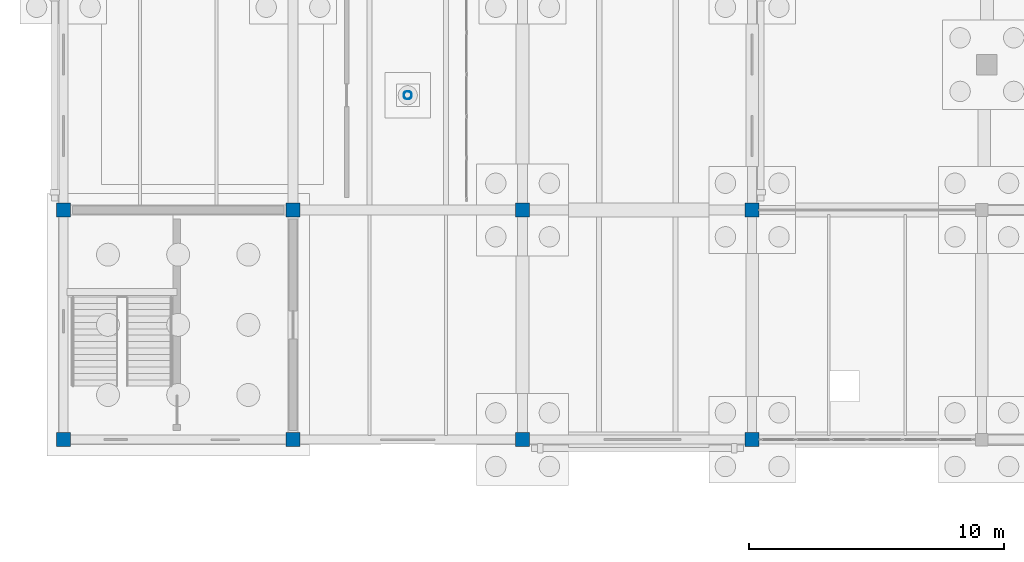
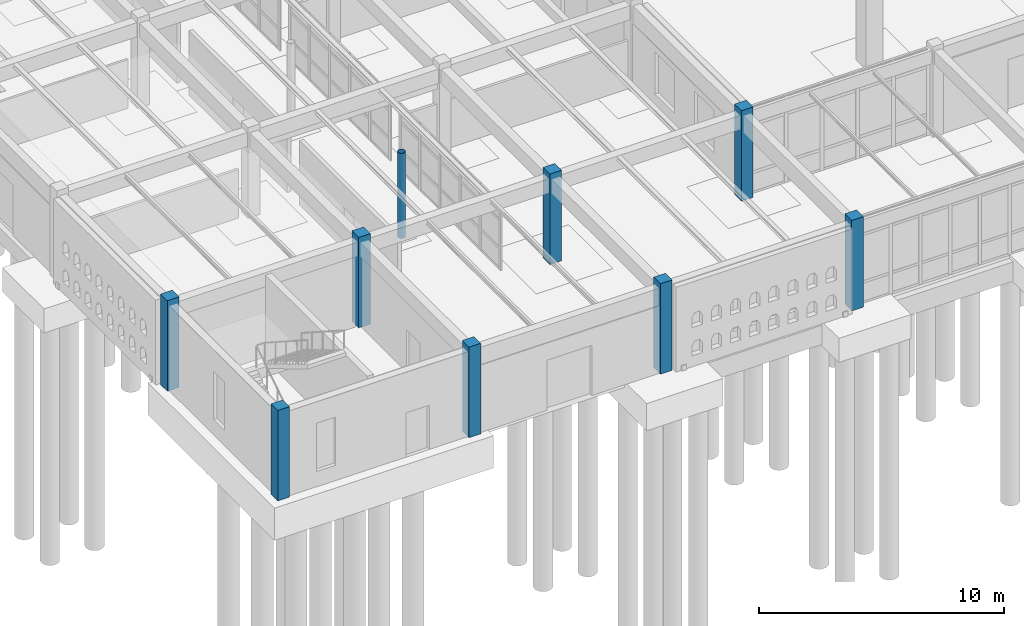
# One storey, part 7 of 186: 9 columns.
"""IFC4 building model written with IfcOpenShell, lengths in metres."""

from ifc_helpers import new_model, si_unit, direction, frame, origin, origin_2d, place, context, subcontext, project, spatial, rectangle, hollow_circle, extrude, material, material_profile, profile_set, type_object, element, save


model = new_model("IFC4")

# Units and contexts
model_context = context("Model", 3, precision=1e-05, world=origin(), true_north=direction((0.0, 1.0)))
body_context = subcontext(model_context, "Body", "Model", "MODEL_VIEW")
ifc_project = project(units=[si_unit("LENGTHUNIT", "METRE"), si_unit("AREAUNIT", "SQUARE_METRE"), si_unit("VOLUMEUNIT", "CUBIC_METRE"), si_unit("PLANEANGLEUNIT", "RADIAN"), si_unit("MASSUNIT", "GRAM", prefix="KILO")], contexts=[model_context])

# Site, building, storey
site_placement = place(None, origin())
site = spatial("IfcSite", under=ifc_project, at=site_placement, CompositionType="ELEMENT")
building_placement = place(site_placement, origin())
building = spatial("IfcBuilding", under=site, at=building_placement, Name="Ornek Quay Market", CompositionType="ELEMENT")
storey_placement = place(building_placement, origin())
storey = spatial("IfcBuildingStorey", under=building, at=storey_placement, Name="L00", CompositionType="ELEMENT", Elevation=0.0)

# Columns
ifc_material_1 = material(Name="Steel S355", Category="steel")
ifc_material_profile_1 = material_profile(ifc_material_1, hollow_circle(Radius=0.161865234375, WallThickness=0.012451171875, at=origin_2d()), Name="CHS 323.9x12.5", Category="steel")
ifc_profile_set_1 = profile_set([ifc_material_profile_1], Name="Steel S355")
column_type_1 = type_object("IfcColumnType", Name="COL-PORCH-CHS323", PredefinedType="PILASTER", material=ifc_profile_set_1)
column_placement = place(storey_placement, frame((13.5, 33.5, 0.0), z_axis=(0.0, 0.0, 1.0), x_axis=(1.0, 0.0, 0.0)))
element("IfcColumn", 1, at=column_placement, inside=storey, type_object=column_type_1, Name="Pavilion column CK-07", PredefinedType="PILASTER", context=body_context, shape_type="SweptSolid", body=[
    extrude(hollow_circle(Radius=0.161865234375, WallThickness=0.012451171875, at=origin_2d()), origin(), (0.0, 0.0, 1.0), 4.219970703125),
])
ifc_material_2 = material(Name="Concrete C40/50", Category="concrete")
ifc_material_profile_2 = material_profile(ifc_material_2, rectangle(XDim=0.550048828125, YDim=0.550048828125, at=origin_2d()), Name="RC 550x550", Category="concrete")
ifc_profile_set_2 = profile_set([ifc_material_profile_2], Name="Concrete C40/50")
column_type_2 = type_object("IfcColumnType", Name="COL-RC-550x550", PredefinedType="COLUMN", material=ifc_profile_set_2)
for number, where, z_axis, x_axis, name in (
    (2, (0.0, 20.0, 0.0), (0.0, 0.0, 1.0), (1.0, 0.0, 0.0), "Column C-55-001"),
    (3, (0.0, 29.0, 0.0), (0.0, 0.0, 1.0), (1.0, 0.0, 0.0), "Column C-55-002"),
    (4, (9.0, 20.0, 0.0), (0.0, 0.0, 1.0), (1.0, 0.0, 0.0), "Column C-55-012"),
    (5, (9.0, 29.0, 0.0), (0.0, 0.0, 1.0), (1.0, 0.0, 0.0), "Column C-55-013"),
    (6, (18.0, 20.0, 0.0), (0.0, 0.0, 1.0), (1.0, 0.0, 0.0), "Column C-55-023"),
    (7, (18.0, 29.0, 0.0), (0.0, 0.0, 1.0), (1.0, 0.0, 0.0), "Column C-55-024"),
    (8, (27.0, 20.0, 0.0), (0.0, 0.0, 1.0), (1.0, 0.0, 0.0), "Column C-55-034"),
    (9, (27.0, 29.0, 0.0), (0.0, 0.0, 1.0), (1.0, 0.0, 0.0), "Column C-55-035"),
):
    element("IfcColumn", number, at=place(storey_placement, frame(where, z_axis=z_axis, x_axis=x_axis)), inside=storey, type_object=column_type_2, Name=name, PredefinedType="COLUMN", context=body_context, shape_type="SweptSolid", body=[
        extrude(rectangle(XDim=0.550048828125, YDim=0.550048828125, at=origin_2d()), origin(), (0.0, 0.0, 1.0), 4.5),
    ])

save(model, "model.ifc")
